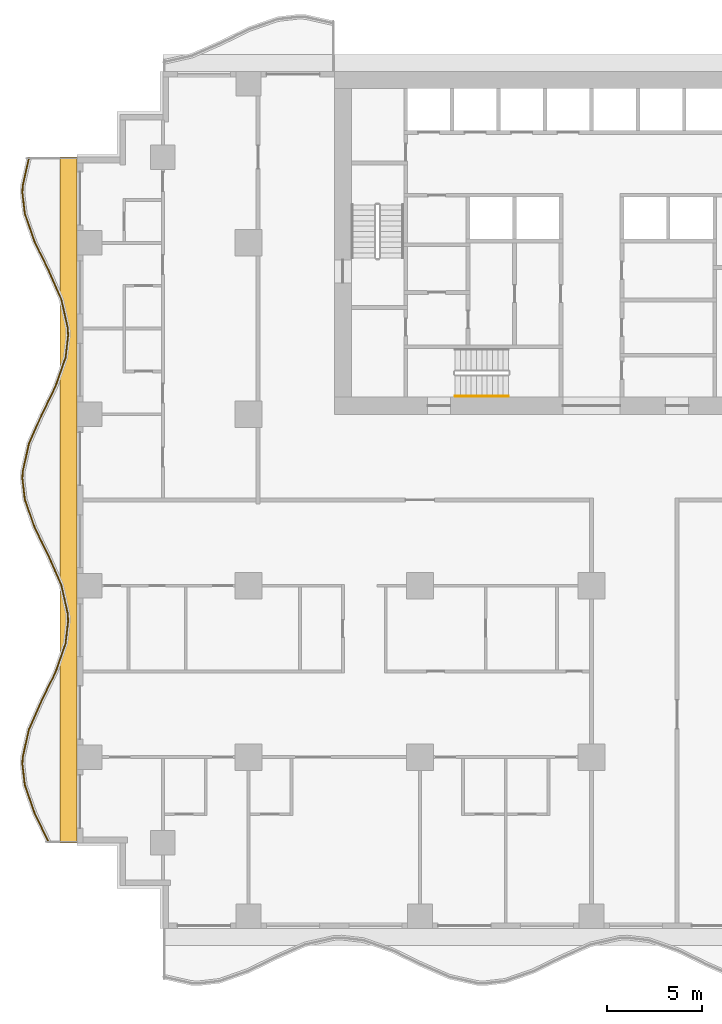
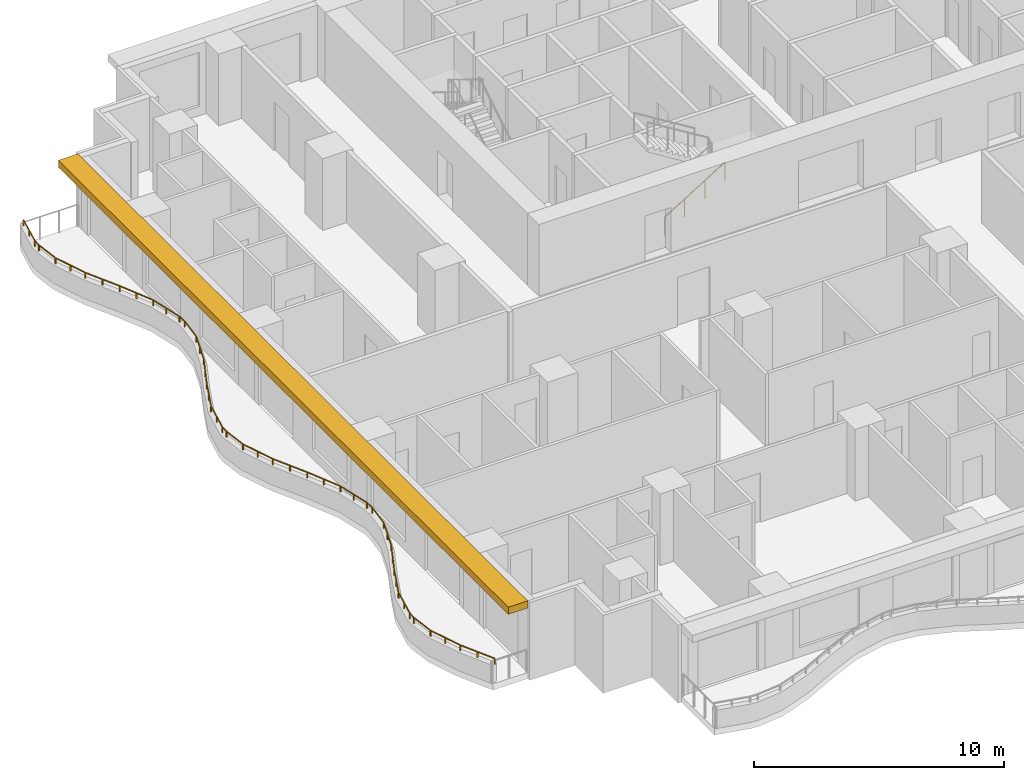
# One storey, part 9 of 14: 2 railings, 1 shading device.
"""IFC4 building model written with IfcOpenShell, lengths in metres."""

from ifc_helpers import new_model, si_unit, direction, frame, origin, origin_2d, place, context, subcontext, project, spatial, polyline, rectangle, circle, outline, extrude, material, layer, layer_set, type_object, element, save


model = new_model("IFC4")

# Units and contexts
model_context = context("Model", 3, precision=1e-05, world=origin(), true_north=direction((0.0, 1.0)))
body_context = subcontext(model_context, "Body", "Model", "MODEL_VIEW")
ifc_project = project(units=[si_unit("LENGTHUNIT", "METRE"), si_unit("AREAUNIT", "SQUARE_METRE"), si_unit("VOLUMEUNIT", "CUBIC_METRE"), si_unit("PLANEANGLEUNIT", "RADIAN"), si_unit("MASSUNIT", "GRAM", prefix="KILO")], contexts=[model_context])

# Site, building, storey
site_placement = place(None, origin())
site = spatial("IfcSite", under=ifc_project, at=site_placement, CompositionType="ELEMENT")
building_placement = place(site_placement, origin())
building = spatial("IfcBuilding", under=site, at=building_placement, Name="Orbiselva Terraces", CompositionType="ELEMENT")
storey_placement = place(building_placement, frame((0.0, 0.0, 80.8)))
storey = spatial("IfcBuildingStorey", under=building, at=storey_placement, Name="L20", CompositionType="ELEMENT", Elevation=80.8)

# Railings
ifc_material_1 = material(Name="Stainless steel", Category="steel")
railing_type_1 = type_object("IfcRailingType", Name="CORE-HANDRAIL-900", PredefinedType="HANDRAIL", material=ifc_material_1)
railing_1_placement = place(storey_placement, frame((-7.15, 5.45, 0.172727)))
element("IfcRailing", 1, at=railing_1_placement, inside=storey, type_object=railing_type_1, Name="L20 S3 stair handrail 1", PredefinedType="HANDRAIL", context=body_context, shape_type="SweptSolid", body=[
    extrude(circle(Radius=0.024, at=origin_2d()), frame((0.0, 0.0, 0.876), z_axis=(0.851088519012, 0.0, 0.52502222125), x_axis=(0.0, 1.0, 0.0)), (0.0, 0.0, 1.0), 3.289905),
    extrude(circle(Radius=0.021, at=origin_2d()), origin(), (0.0, 0.0, 1.0), 0.852),
    extrude(circle(Radius=0.021, at=origin_2d()), frame((0.933333, 0.0, 0.575758)), (0.0, 0.0, 1.0), 0.852),
    extrude(circle(Radius=0.021, at=origin_2d()), frame((1.866667, 0.0, 1.151515)), (0.0, 0.0, 1.0), 0.852),
    extrude(circle(Radius=0.021, at=origin_2d()), frame((2.8, 0.0, 1.727273)), (0.0, 0.0, 1.0), 0.852),
])
ifc_material_2 = material(Name="Bonded two-ply safety glass balustrade, stainless steel posts", Category="steel")
railing_type_2 = type_object("IfcRailingType", Name="ENV-BALUSTRADE-1200", PredefinedType="BALUSTRADE", material=ifc_material_2)
railing_2_placement = place(storey_placement, frame((-29.526563, 17.972623, 0.9)))
element("IfcRailing", 2, at=railing_2_placement, inside=storey, type_object=railing_type_2, Name="Balcony balustrade L20 W", PredefinedType="BALUSTRADE", context=body_context, shape_type="SweptSolid", body=[
    extrude(outline(polyline([(0.028868, 0.0), (0.014434, 0.025), (-0.014434, 0.025), (-0.028868, 0.0), (-0.014434, -0.025), (0.014434, -0.025), (0.028868, 0.0)])), frame((0.0, 0.0, 0.275), z_axis=(-0.21901575501, -0.975721322437, 0.0), x_axis=(0.975721322437, -0.21901575501, 0.0)), (0.0, 0.0, 1.0), 1.525954),
    extrude(outline(polyline([(0.028868, 0.0), (0.014434, 0.025), (-0.014434, 0.025), (-0.028868, 0.0), (-0.014434, -0.025), (0.014434, -0.025), (0.028868, 0.0)])), frame((-0.334208, -1.488906, 0.275), z_axis=(-0.039364150694, -0.999224931454, 0.0), x_axis=(0.999224931454, -0.039364150694, 0.0)), (0.0, 0.0, 1.0), 0.354206),
    extrude(outline(polyline([(0.028868, 0.0), (0.014434, 0.025), (-0.014434, 0.025), (-0.028868, 0.0), (-0.014434, -0.025), (0.014434, -0.025), (0.028868, 0.0)])), frame((-0.348151, -1.842837, 0.275), z_axis=(0.115481264762, -0.993309658409, 0.0), x_axis=(0.993309658409, 0.115481264762, 0.0)), (0.0, 0.0, 1.0), 1.10902),
    extrude(outline(polyline([(0.028868, 0.0), (0.014434, 0.025), (-0.014434, 0.025), (-0.028868, 0.0), (-0.014434, -0.025), (0.014434, -0.025), (0.028868, 0.0)])), frame((-0.22008, -2.944437, 0.275), z_axis=(0.330024754707, -0.943972277814, 0.0), x_axis=(0.943972277814, 0.330024754707, 0.0)), (0.0, 0.0, 1.0), 1.567807),
    extrude(outline(polyline([(0.028868, 0.0), (0.014434, 0.025), (-0.014434, 0.025), (-0.028868, 0.0), (-0.014434, -0.025), (0.014434, -0.025), (0.028868, 0.0)])), frame((0.297335, -4.424403, 0.275), z_axis=(0.438811978768, -0.89857890432, 0.0), x_axis=(0.89857890432, 0.438811978768, 0.0)), (0.0, 0.0, 1.0), 1.66438),
    extrude(outline(polyline([(0.028868, 0.0), (0.014434, 0.025), (-0.014434, 0.025), (-0.028868, 0.0), (-0.014434, -0.025), (0.014434, -0.025), (0.028868, 0.0)])), frame((1.027685, -5.91998, 0.275), z_axis=(0.403150874148, -0.915133527237, 0.0), x_axis=(0.915133527237, 0.403150874148, 0.0)), (0.0, 0.0, 1.0), 1.653736),
    extrude(outline(polyline([(0.028868, 0.0), (0.014434, 0.025), (-0.014434, 0.025), (-0.028868, 0.0), (-0.014434, -0.025), (0.014434, -0.025), (0.028868, 0.0)])), frame((1.69439, -7.433369, 0.275), z_axis=(0.219015500924, -0.97572137947, 0.0), x_axis=(0.97572137947, 0.219015500924, 0.0)), (0.0, 0.0, 1.0), 1.560867),
    extrude(outline(polyline([(0.028868, 0.0), (0.014434, 0.025), (-0.014434, 0.025), (-0.028868, 0.0), (-0.014434, -0.025), (0.014434, -0.025), (0.028868, 0.0)])), frame((2.036244, -8.95634, 0.275), z_axis=(0.03936915532, -0.999224734286, 0.0), x_axis=(0.999224734286, 0.03936915532, 0.0)), (0.0, 0.0, 1.0), 0.396376),
    extrude(outline(polyline([(0.028868, 0.0), (0.014434, 0.025), (-0.014434, 0.025), (-0.028868, 0.0), (-0.014434, -0.025), (0.014434, -0.025), (0.028868, 0.0)])), frame((2.051849, -9.352409, 0.275), z_axis=(-0.115482182324, -0.993309551734, 0.0), x_axis=(0.993309551734, -0.115482182324, 0.0)), (0.0, 0.0, 1.0), 1.156135),
    extrude(outline(polyline([(0.028868, 0.0), (0.014434, 0.025), (-0.014434, 0.025), (-0.028868, 0.0), (-0.014434, -0.025), (0.014434, -0.025), (0.028868, 0.0)])), frame((1.918336, -10.500809, 0.275), z_axis=(-0.330024597479, -0.943972332783, 0.0), x_axis=(0.943972332783, -0.330024597479, 0.0)), (0.0, 0.0, 1.0), 1.610253),
    extrude(outline(polyline([(0.028868, 0.0), (0.014434, 0.025), (-0.014434, 0.025), (-0.028868, 0.0), (-0.014434, -0.025), (0.014434, -0.025), (0.028868, 0.0)])), frame((1.386913, -12.020843, 0.275), z_axis=(-0.438812048596, -0.898578870221, 0.0), x_axis=(0.898578870221, -0.438812048596, 0.0)), (0.0, 0.0, 1.0), 1.674225),
    extrude(outline(polyline([(0.028868, 0.0), (0.014434, 0.025), (-0.014434, 0.025), (-0.028868, 0.0), (-0.014434, -0.025), (0.014434, -0.025), (0.028868, 0.0)])), frame((0.652243, -13.525266, 0.275), z_axis=(-0.403151245402, -0.915133363686, 0.0), x_axis=(0.915133363686, -0.403151245402, 0.0)), (0.0, 0.0, 1.0), 1.624475),
    extrude(outline(polyline([(0.028868, 0.0), (0.014434, 0.025), (-0.014434, 0.025), (-0.028868, 0.0), (-0.014434, -0.025), (0.014434, -0.025), (0.028868, 0.0)])), frame((-0.002666, -15.011877, 0.275), z_axis=(-0.219015740235, -0.975721325753, 0.0), x_axis=(0.975721325753, -0.219015740235, 0.0)), (0.0, 0.0, 1.0), 1.513782),
    extrude(outline(polyline([(0.028868, 0.0), (0.014434, 0.025), (-0.014434, 0.025), (-0.028868, 0.0), (-0.014434, -0.025), (0.014434, -0.025), (0.028868, 0.0)])), frame((-0.334208, -16.488906, 0.275), z_axis=(-0.039364150694, -0.999224931454, 0.0), x_axis=(0.999224931454, -0.039364150694, 0.0)), (0.0, 0.0, 1.0), 0.354206),
    extrude(outline(polyline([(0.028868, 0.0), (0.014434, 0.025), (-0.014434, 0.025), (-0.028868, 0.0), (-0.014434, -0.025), (0.014434, -0.025), (0.028868, 0.0)])), frame((-0.348151, -16.842837, 0.275), z_axis=(0.115481264762, -0.993309658409, 0.0), x_axis=(0.993309658409, 0.115481264762, 0.0)), (0.0, 0.0, 1.0), 1.10902),
    extrude(outline(polyline([(0.028868, 0.0), (0.014434, 0.025), (-0.014434, 0.025), (-0.028868, 0.0), (-0.014434, -0.025), (0.014434, -0.025), (0.028868, 0.0)])), frame((-0.22008, -17.944437, 0.275), z_axis=(0.330024754707, -0.943972277814, 0.0), x_axis=(0.943972277814, 0.330024754707, 0.0)), (0.0, 0.0, 1.0), 1.567807),
    extrude(outline(polyline([(0.028868, 0.0), (0.014434, 0.025), (-0.014434, 0.025), (-0.028868, 0.0), (-0.014434, -0.025), (0.014434, -0.025), (0.028868, 0.0)])), frame((0.297335, -19.424403, 0.275), z_axis=(0.438811978768, -0.89857890432, 0.0), x_axis=(0.89857890432, 0.438811978768, 0.0)), (0.0, 0.0, 1.0), 1.66438),
    extrude(outline(polyline([(0.028868, 0.0), (0.014434, 0.025), (-0.014434, 0.025), (-0.028868, 0.0), (-0.014434, -0.025), (0.014434, -0.025), (0.028868, 0.0)])), frame((1.027685, -20.91998, 0.275), z_axis=(0.403150874148, -0.915133527237, 0.0), x_axis=(0.915133527237, 0.403150874148, 0.0)), (0.0, 0.0, 1.0), 1.653736),
    extrude(outline(polyline([(0.028868, 0.0), (0.014434, 0.025), (-0.014434, 0.025), (-0.028868, 0.0), (-0.014434, -0.025), (0.014434, -0.025), (0.028868, 0.0)])), frame((1.69439, -22.433369, 0.275), z_axis=(0.219015500924, -0.97572137947, 0.0), x_axis=(0.97572137947, 0.219015500924, 0.0)), (0.0, 0.0, 1.0), 1.560867),
    extrude(outline(polyline([(0.028868, 0.0), (0.014434, 0.025), (-0.014434, 0.025), (-0.028868, 0.0), (-0.014434, -0.025), (0.014434, -0.025), (0.028868, 0.0)])), frame((2.036244, -23.95634, 0.275), z_axis=(0.03936915532, -0.999224734286, 0.0), x_axis=(0.999224734286, 0.03936915532, 0.0)), (0.0, 0.0, 1.0), 0.396376),
    extrude(outline(polyline([(0.028868, 0.0), (0.014434, 0.025), (-0.014434, 0.025), (-0.028868, 0.0), (-0.014434, -0.025), (0.014434, -0.025), (0.028868, 0.0)])), frame((2.051849, -24.352409, 0.275), z_axis=(-0.115482182324, -0.993309551734, 0.0), x_axis=(0.993309551734, -0.115482182324, 0.0)), (0.0, 0.0, 1.0), 1.156135),
    extrude(outline(polyline([(0.028868, 0.0), (0.014434, 0.025), (-0.014434, 0.025), (-0.028868, 0.0), (-0.014434, -0.025), (0.014434, -0.025), (0.028868, 0.0)])), frame((1.918336, -25.500809, 0.275), z_axis=(-0.330024597479, -0.943972332783, 0.0), x_axis=(0.943972332783, -0.330024597479, 0.0)), (0.0, 0.0, 1.0), 1.610253),
    extrude(outline(polyline([(0.028868, 0.0), (0.014434, 0.025), (-0.014434, 0.025), (-0.028868, 0.0), (-0.014434, -0.025), (0.014434, -0.025), (0.028868, 0.0)])), frame((1.386913, -27.020843, 0.275), z_axis=(-0.438812048596, -0.898578870221, 0.0), x_axis=(0.898578870221, -0.438812048596, 0.0)), (0.0, 0.0, 1.0), 1.674225),
    extrude(outline(polyline([(0.028868, 0.0), (0.014434, 0.025), (-0.014434, 0.025), (-0.028868, 0.0), (-0.014434, -0.025), (0.014434, -0.025), (0.028868, 0.0)])), frame((0.652243, -28.525266, 0.275), z_axis=(-0.403151245402, -0.915133363686, 0.0), x_axis=(0.915133363686, -0.403151245402, 0.0)), (0.0, 0.0, 1.0), 1.624475),
    extrude(outline(polyline([(0.028868, 0.0), (0.014434, 0.025), (-0.014434, 0.025), (-0.028868, 0.0), (-0.014434, -0.025), (0.014434, -0.025), (0.028868, 0.0)])), frame((-0.002666, -30.011877, 0.275), z_axis=(-0.219015740235, -0.975721325753, 0.0), x_axis=(0.975721325753, -0.219015740235, 0.0)), (0.0, 0.0, 1.0), 1.513782),
    extrude(outline(polyline([(0.028868, 0.0), (0.014434, 0.025), (-0.014434, 0.025), (-0.028868, 0.0), (-0.014434, -0.025), (0.014434, -0.025), (0.028868, 0.0)])), frame((-0.334208, -31.488906, 0.275), z_axis=(-0.039364150694, -0.999224931454, 0.0), x_axis=(0.999224931454, -0.039364150694, 0.0)), (0.0, 0.0, 1.0), 0.354206),
    extrude(outline(polyline([(0.028868, 0.0), (0.014434, 0.025), (-0.014434, 0.025), (-0.028868, 0.0), (-0.014434, -0.025), (0.014434, -0.025), (0.028868, 0.0)])), frame((-0.348151, -31.842837, 0.275), z_axis=(0.115481264762, -0.993309658409, 0.0), x_axis=(0.993309658409, 0.115481264762, 0.0)), (0.0, 0.0, 1.0), 1.10902),
    extrude(outline(polyline([(0.028868, 0.0), (0.014434, 0.025), (-0.014434, 0.025), (-0.028868, 0.0), (-0.014434, -0.025), (0.014434, -0.025), (0.028868, 0.0)])), frame((-0.22008, -32.944437, 0.275), z_axis=(0.330024754707, -0.943972277814, 0.0), x_axis=(0.943972277814, 0.330024754707, 0.0)), (0.0, 0.0, 1.0), 1.567807),
    extrude(outline(polyline([(0.028868, 0.0), (0.014434, 0.025), (-0.014434, 0.025), (-0.028868, 0.0), (-0.014434, -0.025), (0.014434, -0.025), (0.028868, 0.0)])), frame((0.297335, -34.424403, 0.275), z_axis=(0.438811853882, -0.898578965307, 0.0), x_axis=(0.898578965307, 0.438811853882, 0.0)), (0.0, 0.0, 1.0), 1.661922),
    extrude(rectangle(XDim=0.05, YDim=0.05, at=origin_2d()), origin(), (0.0, 0.0, 1.0), 0.25),
    extrude(rectangle(XDim=0.05, YDim=0.05, at=origin_2d()), frame((-0.167104, -0.744453, 0.0)), (0.0, 0.0, 1.0), 0.25),
    extrude(rectangle(XDim=0.05, YDim=0.05, at=origin_2d()), frame((-0.334208, -1.488906, 0.0)), (0.0, 0.0, 1.0), 0.25),
    extrude(rectangle(XDim=0.05, YDim=0.05, at=origin_2d()), frame((-0.348151, -1.842837, 0.0)), (0.0, 0.0, 1.0), 0.25),
    extrude(rectangle(XDim=0.05, YDim=0.05, at=origin_2d()), frame((-0.22008, -2.944437, 0.0)), (0.0, 0.0, 1.0), 0.25),
    extrude(rectangle(XDim=0.05, YDim=0.05, at=origin_2d()), frame((0.038628, -3.68442, 0.0)), (0.0, 0.0, 1.0), 0.25),
    extrude(rectangle(XDim=0.05, YDim=0.05, at=origin_2d()), frame((0.297335, -4.424403, 0.0)), (0.0, 0.0, 1.0), 0.25),
    extrude(rectangle(XDim=0.05, YDim=0.05, at=origin_2d()), frame((0.66251, -5.172191, 0.0)), (0.0, 0.0, 1.0), 0.25),
    extrude(rectangle(XDim=0.05, YDim=0.05, at=origin_2d()), frame((1.027685, -5.91998, 0.0)), (0.0, 0.0, 1.0), 0.25),
    extrude(rectangle(XDim=0.05, YDim=0.05, at=origin_2d()), frame((1.361037, -6.676674, 0.0)), (0.0, 0.0, 1.0), 0.25),
    extrude(rectangle(XDim=0.05, YDim=0.05, at=origin_2d()), frame((1.69439, -7.433369, 0.0)), (0.0, 0.0, 1.0), 0.25),
    extrude(rectangle(XDim=0.05, YDim=0.05, at=origin_2d()), frame((1.865317, -8.194854, 0.0)), (0.0, 0.0, 1.0), 0.25),
    extrude(rectangle(XDim=0.05, YDim=0.05, at=origin_2d()), frame((2.036244, -8.95634, 0.0)), (0.0, 0.0, 1.0), 0.25),
    extrude(rectangle(XDim=0.05, YDim=0.05, at=origin_2d()), frame((2.051849, -9.352409, 0.0)), (0.0, 0.0, 1.0), 0.25),
    extrude(rectangle(XDim=0.05, YDim=0.05, at=origin_2d()), frame((1.918336, -10.500809, 0.0)), (0.0, 0.0, 1.0), 0.25),
    extrude(rectangle(XDim=0.05, YDim=0.05, at=origin_2d()), frame((1.652624, -11.260826, 0.0)), (0.0, 0.0, 1.0), 0.25),
    extrude(rectangle(XDim=0.05, YDim=0.05, at=origin_2d()), frame((1.386913, -12.020843, 0.0)), (0.0, 0.0, 1.0), 0.25),
    extrude(rectangle(XDim=0.05, YDim=0.05, at=origin_2d()), frame((1.019578, -12.773054, 0.0)), (0.0, 0.0, 1.0), 0.25),
    extrude(rectangle(XDim=0.05, YDim=0.05, at=origin_2d()), frame((0.652243, -13.525266, 0.0)), (0.0, 0.0, 1.0), 0.25),
    extrude(rectangle(XDim=0.05, YDim=0.05, at=origin_2d()), frame((0.324788, -14.268571, 0.0)), (0.0, 0.0, 1.0), 0.25),
    extrude(rectangle(XDim=0.05, YDim=0.05, at=origin_2d()), frame((-0.002666, -15.011877, 0.0)), (0.0, 0.0, 1.0), 0.25),
    extrude(rectangle(XDim=0.05, YDim=0.05, at=origin_2d()), frame((-0.168437, -15.750392, 0.0)), (0.0, 0.0, 1.0), 0.25),
    extrude(rectangle(XDim=0.05, YDim=0.05, at=origin_2d()), frame((-0.334208, -16.488906, 0.0)), (0.0, 0.0, 1.0), 0.25),
    extrude(rectangle(XDim=0.05, YDim=0.05, at=origin_2d()), frame((-0.348151, -16.842837, 0.0)), (0.0, 0.0, 1.0), 0.25),
    extrude(rectangle(XDim=0.05, YDim=0.05, at=origin_2d()), frame((-0.22008, -17.944437, 0.0)), (0.0, 0.0, 1.0), 0.25),
    extrude(rectangle(XDim=0.05, YDim=0.05, at=origin_2d()), frame((0.038628, -18.68442, 0.0)), (0.0, 0.0, 1.0), 0.25),
    extrude(rectangle(XDim=0.05, YDim=0.05, at=origin_2d()), frame((0.297335, -19.424403, 0.0)), (0.0, 0.0, 1.0), 0.25),
    extrude(rectangle(XDim=0.05, YDim=0.05, at=origin_2d()), frame((0.66251, -20.172191, 0.0)), (0.0, 0.0, 1.0), 0.25),
    extrude(rectangle(XDim=0.05, YDim=0.05, at=origin_2d()), frame((1.027685, -20.91998, 0.0)), (0.0, 0.0, 1.0), 0.25),
    extrude(rectangle(XDim=0.05, YDim=0.05, at=origin_2d()), frame((1.361037, -21.676674, 0.0)), (0.0, 0.0, 1.0), 0.25),
    extrude(rectangle(XDim=0.05, YDim=0.05, at=origin_2d()), frame((1.69439, -22.433369, 0.0)), (0.0, 0.0, 1.0), 0.25),
    extrude(rectangle(XDim=0.05, YDim=0.05, at=origin_2d()), frame((1.865317, -23.194854, 0.0)), (0.0, 0.0, 1.0), 0.25),
    extrude(rectangle(XDim=0.05, YDim=0.05, at=origin_2d()), frame((2.036244, -23.95634, 0.0)), (0.0, 0.0, 1.0), 0.25),
    extrude(rectangle(XDim=0.05, YDim=0.05, at=origin_2d()), frame((2.051849, -24.352409, 0.0)), (0.0, 0.0, 1.0), 0.25),
    extrude(rectangle(XDim=0.05, YDim=0.05, at=origin_2d()), frame((1.918336, -25.500809, 0.0)), (0.0, 0.0, 1.0), 0.25),
    extrude(rectangle(XDim=0.05, YDim=0.05, at=origin_2d()), frame((1.652624, -26.260826, 0.0)), (0.0, 0.0, 1.0), 0.25),
    extrude(rectangle(XDim=0.05, YDim=0.05, at=origin_2d()), frame((1.386913, -27.020843, 0.0)), (0.0, 0.0, 1.0), 0.25),
    extrude(rectangle(XDim=0.05, YDim=0.05, at=origin_2d()), frame((1.019578, -27.773054, 0.0)), (0.0, 0.0, 1.0), 0.25),
    extrude(rectangle(XDim=0.05, YDim=0.05, at=origin_2d()), frame((0.652243, -28.525266, 0.0)), (0.0, 0.0, 1.0), 0.25),
    extrude(rectangle(XDim=0.05, YDim=0.05, at=origin_2d()), frame((0.324788, -29.268572, 0.0)), (0.0, 0.0, 1.0), 0.25),
    extrude(rectangle(XDim=0.05, YDim=0.05, at=origin_2d()), frame((-0.002666, -30.011877, 0.0)), (0.0, 0.0, 1.0), 0.25),
    extrude(rectangle(XDim=0.05, YDim=0.05, at=origin_2d()), frame((-0.168437, -30.750392, 0.0)), (0.0, 0.0, 1.0), 0.25),
    extrude(rectangle(XDim=0.05, YDim=0.05, at=origin_2d()), frame((-0.334208, -31.488906, 0.0)), (0.0, 0.0, 1.0), 0.25),
    extrude(rectangle(XDim=0.05, YDim=0.05, at=origin_2d()), frame((-0.348151, -31.842837, 0.0)), (0.0, 0.0, 1.0), 0.25),
    extrude(rectangle(XDim=0.05, YDim=0.05, at=origin_2d()), frame((-0.22008, -32.944437, 0.0)), (0.0, 0.0, 1.0), 0.25),
    extrude(rectangle(XDim=0.05, YDim=0.05, at=origin_2d()), frame((0.038628, -33.68442, 0.0)), (0.0, 0.0, 1.0), 0.25),
    extrude(rectangle(XDim=0.05, YDim=0.05, at=origin_2d()), frame((0.297335, -34.424403, 0.0)), (0.0, 0.0, 1.0), 0.25),
    extrude(rectangle(XDim=0.05, YDim=0.05, at=origin_2d()), frame((0.661971, -35.171087, 0.0)), (0.0, 0.0, 1.0), 0.25),
    extrude(rectangle(XDim=0.05, YDim=0.05, at=origin_2d()), frame((1.026606, -35.917771, 0.0)), (0.0, 0.0, 1.0), 0.25),
])

# Shading device
ifc_material_3 = material(Name="Terracotta baguette sunshade", Category="masonry")
ifc_layer = layer(ifc_material_3, 0.35)
ifc_layer_set = layer_set([ifc_layer], Name="Terracotta baguette sunshade")
shading_device_type = type_object("IfcShadingDeviceType", Name="ENV-SUNSHADE-900x350", PredefinedType="USERDEFINED", material=ifc_layer_set)
shading_device_placement = place(storey_placement, frame((0.0, 0.0, 3.15)))
element("IfcShadingDevice", 3, at=shading_device_placement, inside=storey, type_object=shading_device_type, Name="Sunshade band L20 W", ObjectType="SUNSHADE", PredefinedType="USERDEFINED", context=body_context, shape_type="SweptSolid", body=[
    extrude(outline(polyline([(-27.9, 18.0), (-27.9, -18.0), (-27.0, -18.0), (-27.0, 18.0), (-27.9, 18.0)])), origin(), (0.0, 0.0, 1.0), 0.35),
])

save(model, "model.ifc")
